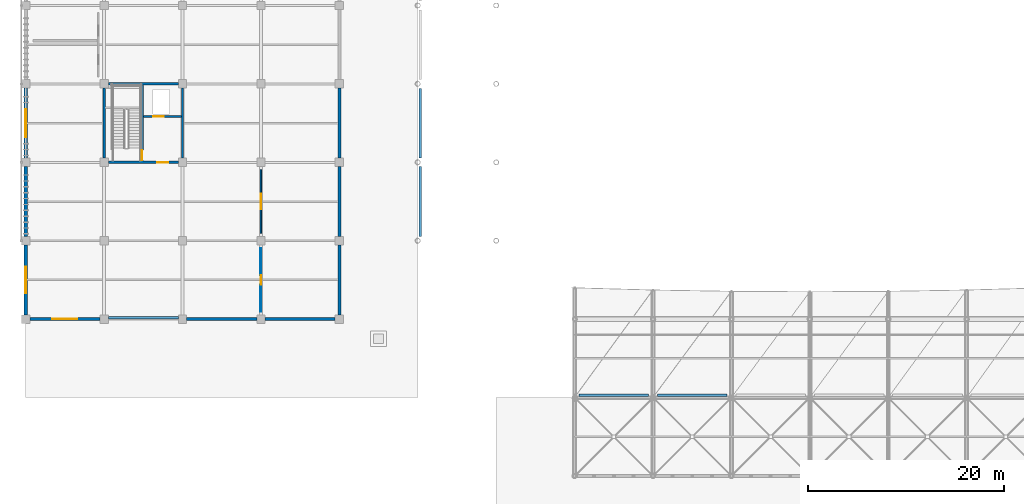
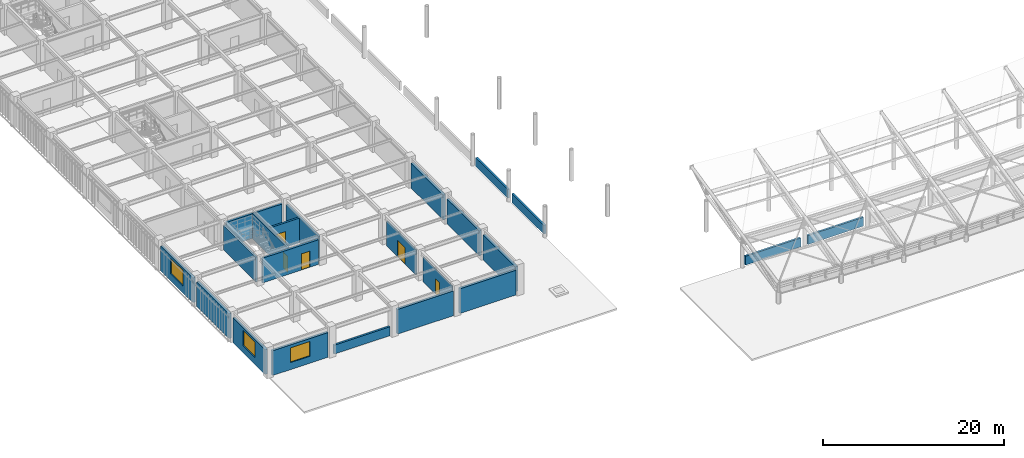
# One storey, part 51 of 78: 22 walls, 5 doors, 3 windows, 8 openings.
"""IFC4 building model written with IfcOpenShell, lengths in metres."""

from ifc_helpers import new_model, si_unit, direction, frame, frame_2d, origin, place, context, subcontext, project, spatial, rectangle, extrude, material, layer, layer_set, type_object, element, fill, save


model = new_model("IFC4")

# Units and contexts
model_context = context("Model", 3, precision=1e-05, world=origin(), true_north=direction((0.0, 1.0)))
body_context = subcontext(model_context, "Body", "Model", "MODEL_VIEW")
ifc_project = project(units=[si_unit("LENGTHUNIT", "METRE"), si_unit("AREAUNIT", "SQUARE_METRE"), si_unit("VOLUMEUNIT", "CUBIC_METRE"), si_unit("PLANEANGLEUNIT", "RADIAN"), si_unit("MASSUNIT", "GRAM", prefix="KILO")], contexts=[model_context])

# Site, building, storey
site_placement = place(None, origin())
site = spatial("IfcSite", under=ifc_project, at=site_placement, CompositionType="ELEMENT")
building_placement = place(site_placement, origin())
building = spatial("IfcBuilding", under=site, at=building_placement, Name="Haebicheon Civic Stadium", CompositionType="ELEMENT")
storey_placement = place(building_placement, frame((0.0, 0.0, 18.60009765625)))
storey = spatial("IfcBuildingStorey", under=building, at=storey_placement, Name="L05", CompositionType="ELEMENT", Elevation=18.60009765625)

# Wall, opening, door
ifc_material_1 = material(Name="Concrete C40/50", Category="concrete")
ifc_layer_1 = layer(ifc_material_1, 0.239990234375, Name="Concrete C40/50")
ifc_layer_set_1 = layer_set([ifc_layer_1], Name="Concrete C40/50")
wall_type_1 = type_object("IfcWallType", Name="CW-SHR-240", PredefinedType="SHEAR", material=ifc_layer_set_1)
wall_1_placement = place(storey_placement, frame((32.425048828125, 56.0, 0.0), z_axis=(0.0, 0.0, 1.0), x_axis=(1.0, 0.0, 0.0)))
wall_1 = element("IfcWall", 1, at=wall_1_placement, inside=storey, type_object=wall_type_1, material=ifc_layer_set_1, Name="KC-02 L05 south core shear wall", PredefinedType="SHEAR", context=body_context, shape_type="SweptSolid", body=[
    extrude(rectangle(XDim=7.14990234375, YDim=0.239990234375, at=frame_2d((3.574951171875, 0.0))), origin(), (0.0, 0.0, 1.0), 3.33984375),
])
opening_1_placement = place(wall_1_placement, frame((5.0, 0.0, 0.0)))
opening_1 = element("IfcOpeningElement", 2, at=opening_1_placement, cuts=wall_1, Name="Opening D-L05-KC-02-LOB", PredefinedType="OPENING", context=body_context, shape_type="SweptSolid", body=[
    extrude(rectangle(XDim=1.10009765625, YDim=2.199951171875, at=frame_2d((0.550048828125, 1.10009765625))), frame((0.0, 0.1298828125, 0.0), z_axis=(0.0, -1.0, 0.0), x_axis=(1.0, 0.0, 0.0)), (0.0, 0.0, 1.0), 0.260009765625),
])
ifc_material_2 = material(Name="Galvanised painted steel SM355", Category="steel")
door_type_1 = type_object("IfcDoorType", Name="ID-FD-1100", OperationType="NOTDEFINED", PredefinedType="DOOR", material=ifc_material_2)
door_1_placement = place(opening_1_placement, origin())
door_1 = element("IfcDoor", 3, at=door_1_placement, inside=storey, type_object=door_type_1, material=ifc_material_2, Name="L05 KC-02 lobby fire door", OperationType="SINGLE_SWING_RIGHT", OverallHeight=2.199951171875, OverallWidth=1.10009765625, PredefinedType="DOOR", context=body_context, shape_type="SweptSolid", body=[
    extrude(rectangle(XDim=1.10009765625, YDim=2.199951171875, at=frame_2d((0.550048828125, 1.10009765625))), frame((0.0, 0.02490234375, 0.0), z_axis=(0.0, -1.0, 0.0), x_axis=(1.0, 0.0, 0.0)), (0.0, 0.0, 1.0), 0.050048828125),
])
fill(opening_1, door_1)

# Walls
for number, where, z_axis, x_axis, name in (
    (4, (32.425048828125, 64.0, 0.0), (0.0, 0.0, 1.0), (1.0, 0.0, 0.0), "KC-02 L05 north core shear wall"),
    (5, (32.0, 56.425048828125, 0.0), (0.0, 0.0, 1.0), (0.0, 1.0, 0.0), "KC-02 L05 west core shear wall"),
    (6, (40.0, 56.425048828125, 0.0), (0.0, 0.0, 1.0), (0.0, 1.0, 0.0), "KC-02 L05 east core shear wall"),
):
    element("IfcWall", number, at=place(storey_placement, frame(where, z_axis=z_axis, x_axis=x_axis)), inside=storey, type_object=wall_type_1, material=ifc_layer_set_1, Name=name, PredefinedType="SHEAR", context=body_context, shape_type="SweptSolid", body=[
        extrude(rectangle(XDim=7.14990234375, YDim=0.239990234375, at=frame_2d((3.574951171875, 0.0))), origin(), (0.0, 0.0, 1.0), 3.33984375),
    ])

# Wall, opening, door
wall_2_placement = place(storey_placement, frame((35.8798828125, 56.1201171875, 0.0), z_axis=(0.0, 0.0, 1.0), x_axis=(0.0, 1.0, 0.0)))
wall_2 = element("IfcWall", 7, at=wall_2_placement, inside=storey, type_object=wall_type_1, material=ifc_layer_set_1, Name="KC-02 L05 stair-lobby dividing shear wall", PredefinedType="SHEAR", context=body_context, shape_type="SweptSolid", body=[
    extrude(rectangle(XDim=7.759765625, YDim=0.239990234375, at=frame_2d((3.8798828125, 0.0))), origin(), (0.0, 0.0, 1.0), 3.43994140625),
])
opening_2_placement = place(wall_2_placement, frame((0.080078125, 0.0, 0.0)))
opening_2 = element("IfcOpeningElement", 8, at=opening_2_placement, cuts=wall_2, Name="Opening D-L05-KC-02-STR", PredefinedType="OPENING", context=body_context, shape_type="SweptSolid", body=[
    extrude(rectangle(XDim=1.050048828125, YDim=2.14990234375, at=frame_2d((0.52490234375, 1.074951171875))), frame((0.0, 0.1298828125, 0.0), z_axis=(0.0, -1.0, 0.0), x_axis=(1.0, 0.0, 0.0)), (0.0, 0.0, 1.0), 0.260009765625),
])
ifc_material_3 = material(Name="Galvanised painted steel SM355", Category="steel")
door_type_2 = type_object("IfcDoorType", Name="ID-FD-1050", OperationType="NOTDEFINED", PredefinedType="DOOR", material=ifc_material_3)
door_2_placement = place(opening_2_placement, origin())
door_2 = element("IfcDoor", 9, at=door_2_placement, inside=storey, type_object=door_type_2, material=ifc_material_3, Name="L05 ST-02 stairwell escape door", OperationType="SINGLE_SWING_LEFT", OverallHeight=2.14990234375, OverallWidth=1.050048828125, PredefinedType="DOOR", context=body_context, shape_type="SweptSolid", body=[
    extrude(rectangle(XDim=1.050048828125, YDim=2.14990234375, at=frame_2d((0.52490234375, 1.074951171875))), frame((0.0, 0.02490234375, 0.0), z_axis=(0.0, -1.0, 0.0), x_axis=(1.0, 0.0, 0.0)), (0.0, 0.0, 1.0), 0.050048828125),
])
fill(opening_2, door_2)

wall_3_placement = place(storey_placement, frame((36.0, 60.679931640625, 0.0), z_axis=(0.0, 0.0, 1.0), x_axis=(1.0, 0.0, 0.0)))
wall_3 = element("IfcWall", 10, at=wall_3_placement, inside=storey, type_object=wall_type_1, material=ifc_layer_set_1, Name="KC-02 L05 lift shaft front wall", PredefinedType="SHEAR", context=body_context, shape_type="SweptSolid", body=[
    extrude(rectangle(XDim=3.8798828125, YDim=0.239990234375, at=frame_2d((1.93994140625, 0.0))), origin(), (0.0, 0.0, 1.0), 3.33984375),
])
opening_3_placement = place(wall_3_placement, frame((1.0, 0.0, 0.0)))
opening_3 = element("IfcOpeningElement", 11, at=opening_3_placement, cuts=wall_3, Name="Opening LD-02-L05", PredefinedType="OPENING", context=body_context, shape_type="SweptSolid", body=[
    extrude(rectangle(XDim=1.10009765625, YDim=2.14990234375, at=frame_2d((0.550048828125, 1.074951171875))), frame((0.0, 0.1298828125, 0.0), z_axis=(0.0, -1.0, 0.0), x_axis=(1.0, 0.0, 0.0)), (0.0, 0.0, 1.0), 0.260009765625),
])
ifc_material_4 = material(Name="Stainless steel 316", Category="steel")
door_type_3 = type_object("IfcDoorType", Name="ID-LD-1100", OperationType="NOTDEFINED", PredefinedType="DOOR", material=ifc_material_4)
door_3_placement = place(opening_3_placement, origin())
door_3 = element("IfcDoor", 12, at=door_3_placement, inside=storey, type_object=door_type_3, material=ifc_material_4, Name="LF-02 lift landing sliding door L05", OperationType="SLIDING_TO_LEFT", OverallHeight=2.14990234375, OverallWidth=1.10009765625, PredefinedType="DOOR", context=body_context, shape_type="SweptSolid", body=[
    extrude(rectangle(XDim=1.10009765625, YDim=2.14990234375, at=frame_2d((0.550048828125, 1.074951171875))), frame((0.0, 0.02490234375, 0.0), z_axis=(0.0, -1.0, 0.0), x_axis=(1.0, 0.0, 0.0)), (0.0, 0.0, 1.0), 0.050048828125),
])
fill(opening_3, door_3)

# Wall, opening, window
ifc_material_5 = material(Name="Precast concrete C40/50", Category="concrete")
ifc_layer_2 = layer(ifc_material_5, 0.320068359375, Name="Precast concrete C40/50")
ifc_layer_set_2 = layer_set([ifc_layer_2], Name="Precast concrete C40/50")
wall_type_2 = type_object("IfcWallType", Name="EW-BM-320", PredefinedType="SOLIDWALL", material=ifc_layer_set_2)
wall_4_placement = place(storey_placement, frame((24.425048828125, 40.0, 0.0), z_axis=(0.0, 0.0, 1.0), x_axis=(1.0, 0.0, 0.0)))
wall_4 = element("IfcWall", 13, at=wall_4_placement, inside=storey, type_object=wall_type_2, material=ifc_layer_set_2, Name="L05 board-marked concrete facade wall 03-05-S", PredefinedType="SOLIDWALL", context=body_context, shape_type="SweptSolid", body=[
    extrude(rectangle(XDim=7.14990234375, YDim=0.320068359375, at=frame_2d((3.574951171875, 0.0))), origin(), (0.0, 0.0, 1.0), 3.33984375),
])
opening_4_placement = place(wall_4_placement, frame((2.300048828125, 0.0, 0.949951171875)))
opening_4 = element("IfcOpeningElement", 14, at=opening_4_placement, cuts=wall_4, Name="Opening WIN-255x200", PredefinedType="OPENING", context=body_context, shape_type="SweptSolid", body=[
    extrude(rectangle(XDim=2.550048828125, YDim=2.0, at=frame_2d((1.27490234375, 1.0))), frame((0.0, 0.169921875, 0.0), z_axis=(0.0, -1.0, 0.0), x_axis=(1.0, 0.0, 0.0)), (0.0, 0.0, 1.0), 0.340087890625),
])
ifc_material_6 = material(Name="Anodised aluminium and laminated glass", Category="aluminium")
window_type_1 = type_object("IfcWindowType", Name="WIN-255x200", PartitioningType="SINGLE_PANEL", PredefinedType="WINDOW", material=ifc_material_6)
window_1_placement = place(opening_4_placement, origin())
window_1 = element("IfcWindow", 15, at=window_1_placement, inside=storey, type_object=window_type_1, material=ifc_material_6, Name="L05 facade window 100", OverallHeight=2.0, OverallWidth=2.550048828125, PartitioningType="SINGLE_PANEL", PredefinedType="WINDOW", context=body_context, shape_type="SweptSolid", body=[
    extrude(rectangle(XDim=2.550048828125, YDim=2.0, at=frame_2d((1.27490234375, 1.0))), frame((0.0, 0.030029296875, 0.0), z_axis=(0.0, -1.0, 0.0), x_axis=(1.0, 0.0, 0.0)), (0.0, 0.0, 1.0), 0.06005859375),
])
fill(opening_4, window_1)

wall_5_placement = place(storey_placement, frame((24.0, 40.425048828125, 0.0), z_axis=(0.0, 0.0, 1.0), x_axis=(0.0, 1.0, 0.0)))
wall_5 = element("IfcWall", 16, at=wall_5_placement, inside=storey, type_object=wall_type_2, material=ifc_layer_set_2, Name="L05 board-marked concrete facade wall 03-05-W", PredefinedType="SOLIDWALL", context=body_context, shape_type="SweptSolid", body=[
    extrude(rectangle(XDim=7.14990234375, YDim=0.320068359375, at=frame_2d((3.574951171875, 0.0))), origin(), (0.0, 0.0, 1.0), 3.33984375),
])
opening_5_placement = place(wall_5_placement, frame((2.22509765625, 0.0, 0.949951171875)))
opening_5 = element("IfcOpeningElement", 17, at=opening_5_placement, cuts=wall_5, Name="Opening WIN-270x210", PredefinedType="OPENING", context=body_context, shape_type="SweptSolid", body=[
    extrude(rectangle(XDim=2.699951171875, YDim=2.10009765625, at=frame_2d((1.35009765625, 1.050048828125))), frame((0.0, 0.169921875, 0.0), z_axis=(0.0, -1.0, 0.0), x_axis=(1.0, 0.0, 0.0)), (0.0, 0.0, 1.0), 0.340087890625),
])
ifc_material_7 = material(Name="Anodised aluminium and laminated glass", Category="aluminium")
window_type_2 = type_object("IfcWindowType", Name="WIN-270x210", PartitioningType="SINGLE_PANEL", PredefinedType="WINDOW", material=ifc_material_7)
window_2_placement = place(opening_5_placement, origin())
window_2 = element("IfcWindow", 18, at=window_2_placement, inside=storey, type_object=window_type_2, material=ifc_material_7, Name="L05 facade window 101", OverallHeight=2.10009765625, OverallWidth=2.699951171875, PartitioningType="SINGLE_PANEL", PredefinedType="WINDOW", context=body_context, shape_type="SweptSolid", body=[
    extrude(rectangle(XDim=2.699951171875, YDim=2.10009765625, at=frame_2d((1.35009765625, 1.050048828125))), frame((0.0, 0.030029296875, 0.0), z_axis=(0.0, -1.0, 0.0), x_axis=(1.0, 0.0, 0.0)), (0.0, 0.0, 1.0), 0.06005859375),
])
fill(opening_5, window_2)

# Wall
wall_6_placement = place(storey_placement, frame((24.0, 48.425048828125, 0.0), z_axis=(0.0, 0.0, 1.0), x_axis=(0.0, 1.0, 0.0)))
element("IfcWall", 19, at=wall_6_placement, inside=storey, type_object=wall_type_2, material=ifc_layer_set_2, Name="L05 board-marked concrete facade wall 03-06-W", PredefinedType="SOLIDWALL", context=body_context, shape_type="SweptSolid", body=[
    extrude(rectangle(XDim=7.14990234375, YDim=0.320068359375, at=frame_2d((3.574951171875, 0.0))), origin(), (0.0, 0.0, 1.0), 3.33984375),
])

# Wall, opening, window
wall_7_placement = place(storey_placement, frame((24.0, 56.425048828125, 0.0), z_axis=(0.0, 0.0, 1.0), x_axis=(0.0, 1.0, 0.0)))
wall_7 = element("IfcWall", 20, at=wall_7_placement, inside=storey, type_object=wall_type_2, material=ifc_layer_set_2, Name="L05 board-marked concrete facade wall 03-07-W", PredefinedType="SOLIDWALL", context=body_context, shape_type="SweptSolid", body=[
    extrude(rectangle(XDim=7.14990234375, YDim=0.320068359375, at=frame_2d((3.574951171875, 0.0))), origin(), (0.0, 0.0, 1.0), 3.33984375),
])
opening_6_placement = place(wall_7_placement, frame((2.14990234375, 0.0, 0.949951171875)))
opening_6 = element("IfcOpeningElement", 21, at=opening_6_placement, cuts=wall_7, Name="Opening WIN-285x210", PredefinedType="OPENING", context=body_context, shape_type="SweptSolid", body=[
    extrude(rectangle(XDim=2.85009765625, YDim=2.10009765625, at=frame_2d((1.425048828125, 1.050048828125))), frame((0.0, 0.169921875, 0.0), z_axis=(0.0, -1.0, 0.0), x_axis=(1.0, 0.0, 0.0)), (0.0, 0.0, 1.0), 0.340087890625),
])
ifc_material_8 = material(Name="Anodised aluminium and laminated glass", Category="aluminium")
window_type_3 = type_object("IfcWindowType", Name="WIN-285x210", PartitioningType="SINGLE_PANEL", PredefinedType="WINDOW", material=ifc_material_8)
window_3_placement = place(opening_6_placement, origin())
window_3 = element("IfcWindow", 22, at=window_3_placement, inside=storey, type_object=window_type_3, material=ifc_material_8, Name="L05 facade window 102", OverallHeight=2.10009765625, OverallWidth=2.85009765625, PartitioningType="SINGLE_PANEL", PredefinedType="WINDOW", context=body_context, shape_type="SweptSolid", body=[
    extrude(rectangle(XDim=2.85009765625, YDim=2.10009765625, at=frame_2d((1.425048828125, 1.050048828125))), frame((0.0, 0.030029296875, 0.0), z_axis=(0.0, -1.0, 0.0), x_axis=(1.0, 0.0, 0.0)), (0.0, 0.0, 1.0), 0.06005859375),
])
fill(opening_6, window_3)

# Walls
for number, where, z_axis, x_axis, name in (
    (23, (40.425048828125, 40.0, 0.0), (0.0, 0.0, 1.0), (1.0, 0.0, 0.0), "L05 board-marked concrete facade wall 05-05-S"),
    (24, (48.425048828125, 40.0, 0.0), (0.0, 0.0, 1.0), (1.0, 0.0, 0.0), "L05 board-marked concrete facade wall 06-05-S"),
):
    element("IfcWall", number, at=place(storey_placement, frame(where, z_axis=z_axis, x_axis=x_axis)), inside=storey, type_object=wall_type_2, material=ifc_layer_set_2, Name=name, PredefinedType="SOLIDWALL", context=body_context, shape_type="SweptSolid", body=[
        extrude(rectangle(XDim=7.14990234375, YDim=0.320068359375, at=frame_2d((3.574951171875, 0.0))), origin(), (0.0, 0.0, 1.0), 3.33984375),
    ])
for number, where, z_axis, x_axis, name in (
    (25, (56.0, 40.425048828125, 0.0), (0.0, 0.0, 1.0), (0.0, 1.0, 0.0), "L05 board-marked concrete facade wall 07-05-E"),
    (26, (56.0, 48.425048828125, 0.0), (0.0, 0.0, 1.0), (0.0, 1.0, 0.0), "L05 board-marked concrete facade wall 07-06-E"),
    (27, (56.0, 56.425048828125, 0.0), (0.0, 0.0, 1.0), (0.0, 1.0, 0.0), "L05 board-marked concrete facade wall 07-07-E"),
):
    element("IfcWall", number, at=place(storey_placement, frame(where, z_axis=z_axis, x_axis=x_axis)), inside=storey, type_object=wall_type_2, material=ifc_layer_set_2, Name=name, PredefinedType="SOLIDWALL", context=body_context, shape_type="SweptSolid", body=[
        extrude(rectangle(XDim=7.14990234375, YDim=0.320068359375, at=frame_2d((3.574951171875, 0.0))), origin(), (0.0, 0.0, 1.0), 3.349853515625),
    ])
ifc_material_9 = material(Name="Precast concrete C40/50", Category="concrete")
ifc_layer_3 = layer(ifc_material_9, 0.25, Name="Precast concrete C40/50")
ifc_layer_set_3 = layer_set([ifc_layer_3], Name="Precast concrete C40/50")
wall_type_3 = type_object("IfcWallType", Name="EW-PAR-250", PredefinedType="PARAPET", material=ifc_layer_set_3)
wall_8_placement = place(storey_placement, frame((32.425048828125, 40.139892578125, 0.0), z_axis=(0.0, 0.0, 1.0), x_axis=(1.0, 0.0, 0.0)))
element("IfcWall", 28, at=wall_8_placement, inside=storey, type_object=wall_type_3, material=ifc_layer_set_3, Name="L05 setback roof parapet 04-05", PredefinedType="PARAPET", context=body_context, shape_type="SweptSolid", body=[
    extrude(rectangle(XDim=7.14990234375, YDim=0.25, at=frame_2d((3.574951171875, 0.0))), origin(), (0.0, 0.0, 1.0), 1.199951171875),
])
for number, where, z_axis, x_axis, name in (
    (29, (64.239990234375, 48.449951171875, 0.0), (0.0, 0.0, 1.0), (0.0, 1.0, 0.0), "TIER-W-U upper gangway parapet 1"),
    (30, (64.239990234375, 56.449951171875, 0.0), (0.0, 0.0, 1.0), (0.0, 1.0, 0.0), "TIER-W-U upper gangway parapet 2"),
    (31, (80.449951171875, 32.239990234375, 0.0), (0.0, 0.0, 1.0), (1.0, 0.0, 0.0), "TIER-S-U upper gangway parapet 1"),
    (32, (88.449951171875, 32.239990234375, 0.0), (0.0, 0.0, 1.0), (1.0, 0.0, 0.0), "TIER-S-U upper gangway parapet 2"),
):
    element("IfcWall", number, at=place(storey_placement, frame(where, z_axis=z_axis, x_axis=x_axis)), inside=storey, type_object=wall_type_3, material=ifc_layer_set_3, Name=name, PredefinedType="PARAPET", context=body_context, shape_type="SweptSolid", body=[
        extrude(rectangle(XDim=7.10009765625, YDim=0.25, at=frame_2d((3.550048828125, 0.0))), origin(), (0.0, 0.0, 1.0), 1.199951171875),
    ])

# Wall, opening, door
ifc_material_10 = material(Name="Anodised aluminium and laminated glass", Category="aluminium")
ifc_layer_4 = layer(ifc_material_10, 0.10009765625, Name="Anodised aluminium and laminated glass")
ifc_layer_set_4 = layer_set([ifc_layer_4], Name="Anodised aluminium and laminated glass")
wall_type_4 = type_object("IfcWallType", Name="IW-PRT-100", PredefinedType="PARTITIONING", material=ifc_layer_set_4)
wall_9_placement = place(storey_placement, frame((48.0, 40.75, 0.0), z_axis=(0.0, 0.0, 1.0), x_axis=(0.0, 1.0, 0.0)))
wall_9 = element("IfcWall", 33, at=wall_9_placement, inside=storey, type_object=wall_type_4, material=ifc_layer_set_4, Name="L05 Supporters' Viewing Deck Lounge partition wall", PredefinedType="PARTITIONING", context=body_context, shape_type="SweptSolid", body=[
    extrude(rectangle(XDim=6.5, YDim=0.10009765625, at=frame_2d((3.25, 0.0))), origin(), (0.0, 0.0, 1.0), 3.33984375),
])
opening_7_placement = place(wall_9_placement, frame((2.77490234375, 0.0, 0.0)))
opening_7 = element("IfcOpeningElement", 34, at=opening_7_placement, cuts=wall_9, Name="Opening D-L05-429", PredefinedType="OPENING", context=body_context, shape_type="SweptSolid", body=[
    extrude(rectangle(XDim=0.949951171875, YDim=2.10009765625, at=frame_2d((0.47509765625, 1.050048828125))), frame((0.0, 0.06005859375, 0.0), z_axis=(0.0, -1.0, 0.0), x_axis=(1.0, 0.0, 0.0)), (0.0, 0.0, 1.0), 0.1201171875),
])
ifc_material_11 = material(Name="Engineered hardwood timber", Category="wood")
door_type_4 = type_object("IfcDoorType", Name="ID-RM-0950", OperationType="NOTDEFINED", PredefinedType="DOOR", material=ifc_material_11)
door_4_placement = place(opening_7_placement, origin())
door_4 = element("IfcDoor", 35, at=door_4_placement, inside=storey, type_object=door_type_4, material=ifc_material_11, Name="L05 Supporters' Viewing Deck Lounge entrance door D-L05-429", OperationType="SINGLE_SWING_RIGHT", OverallHeight=2.10009765625, OverallWidth=0.949951171875, PredefinedType="DOOR", context=body_context, shape_type="SweptSolid", body=[
    extrude(rectangle(XDim=0.949951171875, YDim=2.10009765625, at=frame_2d((0.47509765625, 1.050048828125))), frame((0.0, 0.02490234375, 0.0), z_axis=(0.0, -1.0, 0.0), x_axis=(1.0, 0.0, 0.0)), (0.0, 0.0, 1.0), 0.050048828125),
])
fill(opening_7, door_4)

ifc_material_12 = material(Name="Gypsum plasterboard on steel studs", Category="gypsum")
ifc_layer_5 = layer(ifc_material_12, 0.14990234375, Name="Gypsum plasterboard on steel studs")
ifc_layer_set_5 = layer_set([ifc_layer_5], Name="Gypsum plasterboard on steel studs")
wall_type_5 = type_object("IfcWallType", Name="IW-PRT-150", PredefinedType="PARTITIONING", material=ifc_layer_set_5)
wall_10_placement = place(storey_placement, frame((48.0, 48.75, 0.0), z_axis=(0.0, 0.0, 1.0), x_axis=(0.0, 1.0, 0.0)))
wall_10 = element("IfcWall", 36, at=wall_10_placement, inside=storey, type_object=wall_type_5, material=ifc_layer_set_5, Name="L05 Supporters' Viewing Deck Lounge partition wall", PredefinedType="PARTITIONING", context=body_context, shape_type="SweptSolid", body=[
    extrude(rectangle(XDim=6.5, YDim=0.14990234375, at=frame_2d((3.25, 0.0))), origin(), (0.0, 0.0, 1.0), 3.33984375),
])
opening_8_placement = place(wall_10_placement, frame((2.449951171875, 0.0, 0.0)))
opening_8 = element("IfcOpeningElement", 37, at=opening_8_placement, cuts=wall_10, Name="Opening D-L05-432", PredefinedType="OPENING", context=body_context, shape_type="SweptSolid", body=[
    extrude(rectangle(XDim=1.60009765625, YDim=2.199951171875, at=frame_2d((0.800048828125, 1.10009765625))), frame((0.0, 0.0849609375, 0.0), z_axis=(0.0, -1.0, 0.0), x_axis=(1.0, 0.0, 0.0)), (0.0, 0.0, 1.0), 0.169921875),
])
ifc_material_13 = material(Name="Anodised aluminium and laminated glass", Category="aluminium")
door_type_5 = type_object("IfcDoorType", Name="ID-DBL-1600", OperationType="NOTDEFINED", PredefinedType="DOOR", material=ifc_material_13)
door_5_placement = place(opening_8_placement, origin())
door_5 = element("IfcDoor", 38, at=door_5_placement, inside=storey, type_object=door_type_5, material=ifc_material_13, Name="L05 Supporters' Viewing Deck Lounge entrance door D-L05-432", OperationType="DOUBLE_SWING_LEFT", OverallHeight=2.199951171875, OverallWidth=1.60009765625, PredefinedType="DOOR", context=body_context, shape_type="SweptSolid", body=[
    extrude(rectangle(XDim=1.60009765625, YDim=2.199951171875, at=frame_2d((0.800048828125, 1.10009765625))), frame((0.0, 0.02490234375, 0.0), z_axis=(0.0, -1.0, 0.0), x_axis=(1.0, 0.0, 0.0)), (0.0, 0.0, 1.0), 0.050048828125),
])
fill(opening_8, door_5)

save(model, "model.ifc")
